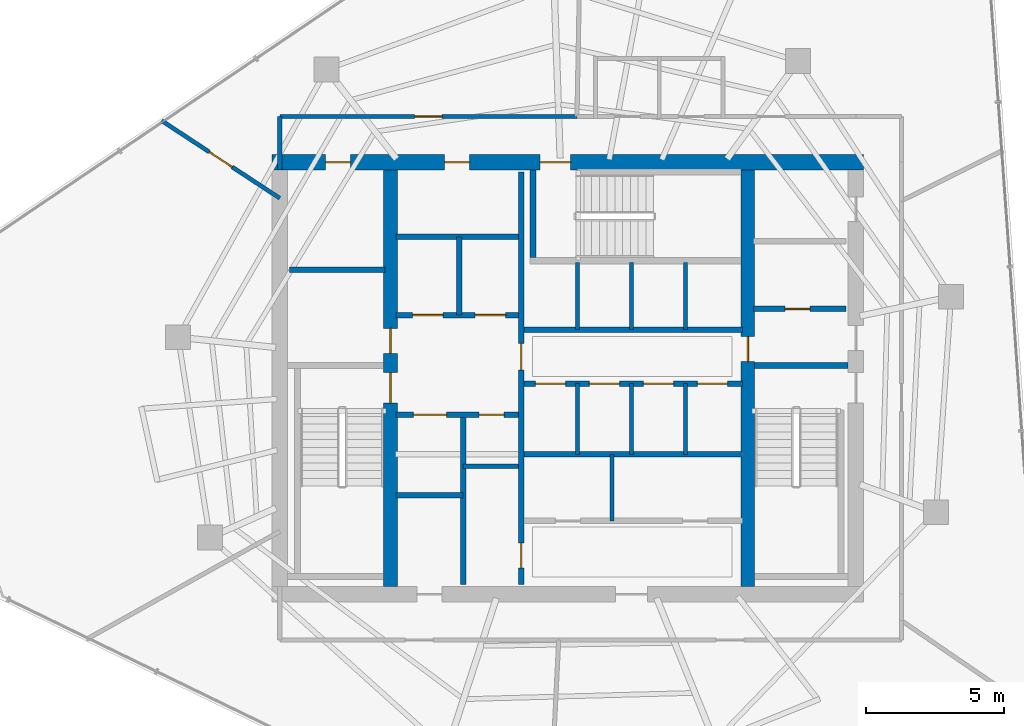
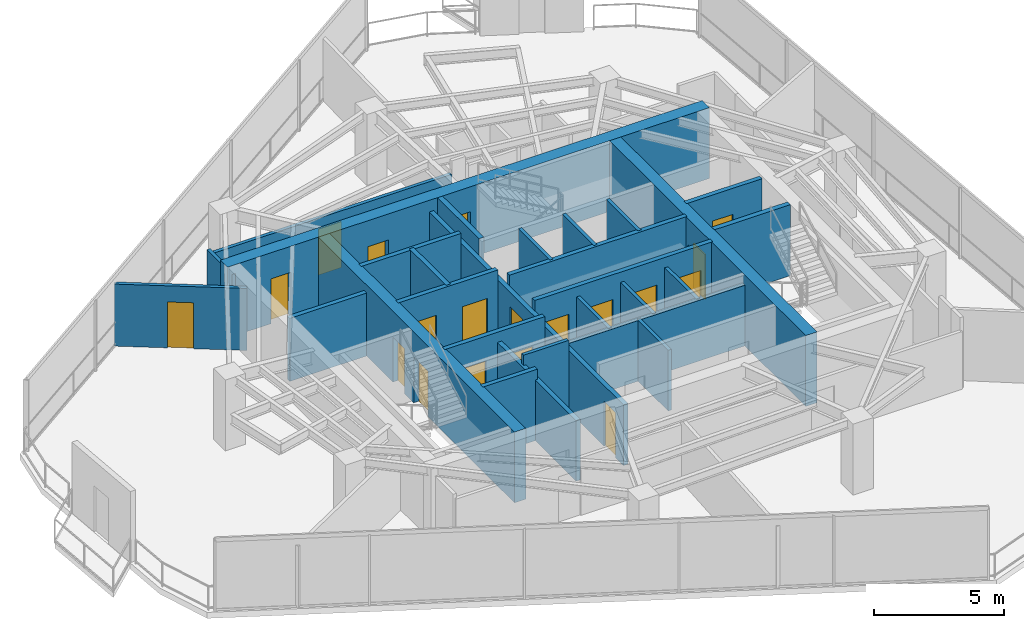
# One storey, part 17 of 20: 28 walls, 19 doors, 19 openings.
"""IFC4 building model written with IfcOpenShell, lengths in metres."""

from ifc_helpers import new_model, si_unit, direction, frame, frame_2d, origin, place, context, subcontext, project, spatial, rectangle, extrude, material, layer, layer_set, type_object, element, fill, save


model = new_model("IFC4")

# Units and contexts
model_context = context("Model", 3, precision=1e-05, world=origin(), true_north=direction((0.0, 1.0)))
body_context = subcontext(model_context, "Body", "Model", "MODEL_VIEW")
ifc_project = project(units=[si_unit("LENGTHUNIT", "METRE"), si_unit("AREAUNIT", "SQUARE_METRE"), si_unit("VOLUMEUNIT", "CUBIC_METRE"), si_unit("PLANEANGLEUNIT", "RADIAN"), si_unit("MASSUNIT", "GRAM", prefix="KILO")], contexts=[model_context])

# Site, building, storey
site_placement = place(None, origin())
site = spatial("IfcSite", under=ifc_project, at=site_placement, CompositionType="ELEMENT")
building_placement = place(site_placement, origin())
building = spatial("IfcBuilding", under=site, at=building_placement, Name="Qarnah Convention Tower", CompositionType="ELEMENT")
storey_placement = place(building_placement, frame((0.0, 0.0, 195.0)))
storey = spatial("IfcBuildingStorey", under=building, at=storey_placement, Name="L52", CompositionType="ELEMENT", Elevation=195.0)

# Wall, openings, doors
ifc_material_1 = material(Name="Concrete C60/75", Category="concrete")
ifc_layer_1 = layer(ifc_material_1, 0.550048828125)
ifc_layer_set_1 = layer_set([ifc_layer_1], Name="Concrete C60/75")
wall_type_1 = type_object("IfcWallType", Name="WL-CORE-550", PredefinedType="SHEAR", material=ifc_layer_set_1)
wall_1_placement = place(storey_placement, frame((26.52490234375, 34.199951171875, 0.0), z_axis=(0.0, 0.0, 1.0), x_axis=(1.0, 0.0, 0.0)))
wall_1 = element("IfcWall", 1, at=wall_1_placement, inside=storey, type_object=wall_type_1, Name="L52 core north shear wall", PredefinedType="SHEAR", context=body_context, shape_type="SweptSolid", body=[
    extrude(rectangle(XDim=21.35009765625, YDim=0.550048828125, at=frame_2d((10.675048828125, 0.0))), origin(), (0.0, 0.0, 1.0), 3.320068359375),
])
opening_1_placement = place(wall_1_placement, frame((9.675048828125, 0.0, 0.0)))
opening_1 = element("IfcOpeningElement", 2, at=opening_1_placement, cuts=wall_1, Name="Opening D-5203", PredefinedType="OPENING", context=body_context, shape_type="SweptSolid", body=[
    extrude(rectangle(XDim=1.10009765625, YDim=2.14990234375, at=frame_2d((0.550048828125, 1.074951171875))), frame((0.0, 0.284912109375, 0.0), z_axis=(0.0, -1.0, 0.0), x_axis=(1.0, 0.0, 0.0)), (0.0, 0.0, 1.0), 0.570068359375),
])
opening_2_placement = place(wall_1_placement, frame((1.925048828125, 0.0, 0.0)))
opening_2 = element("IfcOpeningElement", 3, at=opening_2_placement, cuts=wall_1, Name="Opening D-5209", PredefinedType="OPENING", context=body_context, shape_type="SweptSolid", body=[
    extrude(rectangle(XDim=0.89990234375, YDim=2.10009765625, at=frame_2d((0.449951171875, 1.050048828125))), frame((0.0, 0.284912109375, 0.0), z_axis=(0.0, -1.0, 0.0), x_axis=(1.0, 0.0, 0.0)), (0.0, 0.0, 1.0), 0.570068359375),
])
opening_3_placement = place(wall_1_placement, frame((6.22509765625, 0.0, 0.0)))
opening_3 = element("IfcOpeningElement", 4, at=opening_3_placement, cuts=wall_1, Name="Opening D-5210", PredefinedType="OPENING", context=body_context, shape_type="SweptSolid", body=[
    extrude(rectangle(XDim=0.89990234375, YDim=2.10009765625, at=frame_2d((0.449951171875, 1.050048828125))), frame((0.0, 0.284912109375, 0.0), z_axis=(0.0, -1.0, 0.0), x_axis=(1.0, 0.0, 0.0)), (0.0, 0.0, 1.0), 0.570068359375),
])
ifc_material_2 = material(Name="Structural steel S355JR", Category="steel")
door_type_1 = type_object("IfcDoorType", Name="DT-RISER-900", OperationType="NOTDEFINED", PredefinedType="DOOR", material=ifc_material_2)
door_1_placement = place(opening_2_placement, origin())
door_1 = element("IfcDoor", 5, at=door_1_placement, inside=storey, type_object=door_type_1, Name="Door D-5209", OperationType="SINGLE_SWING_LEFT", OverallHeight=2.10009765625, OverallWidth=0.89990234375, PredefinedType="DOOR", context=body_context, shape_type="SweptSolid", body=[
    extrude(rectangle(XDim=0.89990234375, YDim=2.10009765625, at=frame_2d((0.449951171875, 1.050048828125))), frame((0.0, 0.02490234375, 0.0), z_axis=(0.0, -1.0, 0.0), x_axis=(1.0, 0.0, 0.0)), (0.0, 0.0, 1.0), 0.050048828125),
])
fill(opening_2, door_1)
door_2_placement = place(opening_3_placement, origin())
door_2 = element("IfcDoor", 6, at=door_2_placement, inside=storey, type_object=door_type_1, Name="Door D-5210", OperationType="SINGLE_SWING_RIGHT", OverallHeight=2.10009765625, OverallWidth=0.89990234375, PredefinedType="DOOR", context=body_context, shape_type="SweptSolid", body=[
    extrude(rectangle(XDim=0.89990234375, YDim=2.10009765625, at=frame_2d((0.449951171875, 1.050048828125))), frame((0.0, 0.02490234375, 0.0), z_axis=(0.0, -1.0, 0.0), x_axis=(1.0, 0.0, 0.0)), (0.0, 0.0, 1.0), 0.050048828125),
])
fill(opening_3, door_2)
door_type_2 = type_object("IfcDoorType", Name="DT-STAIR-1100", OperationType="NOTDEFINED", PredefinedType="DOOR", material=ifc_material_2)
door_3_placement = place(opening_1_placement, origin())
door_3 = element("IfcDoor", 7, at=door_3_placement, inside=storey, type_object=door_type_2, Name="Door D-5203", OperationType="SINGLE_SWING_LEFT", OverallHeight=2.14990234375, OverallWidth=1.10009765625, PredefinedType="DOOR", context=body_context, shape_type="SweptSolid", body=[
    extrude(rectangle(XDim=1.10009765625, YDim=2.14990234375, at=frame_2d((0.550048828125, 1.074951171875))), frame((0.0, 0.02490234375, 0.0), z_axis=(0.0, -1.0, 0.0), x_axis=(1.0, 0.0, 0.0)), (0.0, 0.0, 1.0), 0.050048828125),
])
fill(opening_1, door_3)

ifc_layer_2 = layer(ifc_material_1, 0.5)
ifc_layer_set_2 = layer_set([ifc_layer_2], Name="Concrete C60/75")
wall_type_2 = type_object("IfcWallType", Name="WL-CORE-INT-400", PredefinedType="SHEAR", material=ifc_layer_set_2)
wall_2_placement = place(storey_placement, frame((30.800048828125, 18.875, 0.0), z_axis=(0.0, 0.0, 1.0), x_axis=(0.0, 1.0, 0.0)))
wall_2 = element("IfcWall", 8, at=wall_2_placement, inside=storey, type_object=wall_type_2, Name="L52 core west spine shear wall", PredefinedType="SHEAR", context=body_context, shape_type="SweptSolid", body=[
    extrude(rectangle(XDim=15.050048828125, YDim=0.5, at=frame_2d((7.52490234375, 0.0))), origin(), (0.0, 0.0, 1.0), 3.320068359375),
])
opening_4_placement = place(wall_2_placement, frame((6.625, 0.0, 0.0)))
opening_4 = element("IfcOpeningElement", 9, at=opening_4_placement, cuts=wall_2, Name="Opening D-5201", PredefinedType="OPENING", context=body_context, shape_type="SweptSolid", body=[
    extrude(rectangle(XDim=1.10009765625, YDim=2.14990234375, at=frame_2d((0.550048828125, 1.074951171875))), frame((0.0, 0.260009765625, 0.0), z_axis=(0.0, -1.0, 0.0), x_axis=(1.0, 0.0, 0.0)), (0.0, 0.0, 1.0), 0.52001953125),
])
opening_5_placement = place(wall_2_placement, frame((8.425048828125, 0.0, 0.0)))
opening_5 = element("IfcOpeningElement", 10, at=opening_5_placement, cuts=wall_2, Name="Opening D-5208", PredefinedType="OPENING", context=body_context, shape_type="SweptSolid", body=[
    extrude(rectangle(XDim=0.89990234375, YDim=2.10009765625, at=frame_2d((0.449951171875, 1.050048828125))), frame((0.0, 0.260009765625, 0.0), z_axis=(0.0, -1.0, 0.0), x_axis=(1.0, 0.0, 0.0)), (0.0, 0.0, 1.0), 0.52001953125),
])
door_4_placement = place(opening_5_placement, origin())
door_4 = element("IfcDoor", 11, at=door_4_placement, inside=storey, type_object=door_type_1, Name="Door D-5208", OperationType="SINGLE_SWING_RIGHT", OverallHeight=2.10009765625, OverallWidth=0.89990234375, PredefinedType="DOOR", context=body_context, shape_type="SweptSolid", body=[
    extrude(rectangle(XDim=0.89990234375, YDim=2.10009765625, at=frame_2d((0.449951171875, 1.050048828125))), frame((0.0, 0.02490234375, 0.0), z_axis=(0.0, -1.0, 0.0), x_axis=(1.0, 0.0, 0.0)), (0.0, 0.0, 1.0), 0.050048828125),
])
fill(opening_5, door_4)
door_5_placement = place(opening_4_placement, origin())
door_5 = element("IfcDoor", 12, at=door_5_placement, inside=storey, type_object=door_type_2, Name="Door D-5201", OperationType="SINGLE_SWING_LEFT", OverallHeight=2.14990234375, OverallWidth=1.10009765625, PredefinedType="DOOR", context=body_context, shape_type="SweptSolid", body=[
    extrude(rectangle(XDim=1.10009765625, YDim=2.14990234375, at=frame_2d((0.550048828125, 1.074951171875))), frame((0.0, 0.02490234375, 0.0), z_axis=(0.0, -1.0, 0.0), x_axis=(1.0, 0.0, 0.0)), (0.0, 0.0, 1.0), 0.050048828125),
])
fill(opening_4, door_5)

# Wall, opening, door
wall_3_placement = place(storey_placement, frame((43.699951171875, 18.875, 0.0), z_axis=(0.0, 0.0, 1.0), x_axis=(0.0, 1.0, 0.0)))
wall_3 = element("IfcWall", 13, at=wall_3_placement, inside=storey, type_object=wall_type_2, Name="L52 core east spine shear wall", PredefinedType="SHEAR", context=body_context, shape_type="SweptSolid", body=[
    extrude(rectangle(XDim=15.050048828125, YDim=0.5, at=frame_2d((7.52490234375, 0.0))), origin(), (0.0, 0.0, 1.0), 3.320068359375),
])
opening_6_placement = place(wall_3_placement, frame((8.125, 0.0, 0.0)))
opening_6 = element("IfcOpeningElement", 14, at=opening_6_placement, cuts=wall_3, Name="Opening D-5205", PredefinedType="OPENING", context=body_context, shape_type="SweptSolid", body=[
    extrude(rectangle(XDim=0.89990234375, YDim=2.10009765625, at=frame_2d((0.449951171875, 1.050048828125))), frame((0.0, 0.260009765625, 0.0), z_axis=(0.0, -1.0, 0.0), x_axis=(1.0, 0.0, 0.0)), (0.0, 0.0, 1.0), 0.52001953125),
])
door_6_placement = place(opening_6_placement, origin())
door_6 = element("IfcDoor", 15, at=door_6_placement, inside=storey, type_object=door_type_1, Name="Door D-5205", OperationType="SINGLE_SWING_LEFT", OverallHeight=2.10009765625, OverallWidth=0.89990234375, PredefinedType="DOOR", context=body_context, shape_type="SweptSolid", body=[
    extrude(rectangle(XDim=0.89990234375, YDim=2.10009765625, at=frame_2d((0.449951171875, 1.050048828125))), frame((0.0, 0.02490234375, 0.0), z_axis=(0.0, -1.0, 0.0), x_axis=(1.0, 0.0, 0.0)), (0.0, 0.0, 1.0), 0.050048828125),
])
fill(opening_6, door_6)

# Wall
ifc_material_3 = material(Name="Concrete C45/55", Category="concrete")
ifc_layer_3 = layer(ifc_material_3, 0.199951171875)
ifc_layer_set_3 = layer_set([ifc_layer_3], Name="Concrete C45/55")
wall_type_3 = type_object("IfcWallType", Name="WL-CORE-PART-200", PredefinedType="SOLIDWALL", material=ifc_layer_set_3)
wall_4_placement = place(storey_placement, frame((27.14990234375, 30.320068359375, 0.0), z_axis=(0.0, 0.0, 1.0), x_axis=(1.0, 0.0, 0.0)))
element("IfcWall", 16, at=wall_4_placement, inside=storey, type_object=wall_type_3, Name="L52 interior wall IW-L52-ELRN", PredefinedType="SOLIDWALL", context=body_context, shape_type="SweptSolid", body=[
    extrude(rectangle(XDim=3.4501953125, YDim=0.199951171875, at=frame_2d((1.72509765625, 0.0))), origin(), (0.0, 0.0, 1.0), 2.948974609375),
])

# Wall, opening, door
wall_5_placement = place(storey_placement, frame((43.89990234375, 28.89990234375, 0.0), z_axis=(0.0, 0.0, 1.0), x_axis=(1.0, 0.0, 0.0)))
wall_5 = element("IfcWall", 17, at=wall_5_placement, inside=storey, type_object=wall_type_3, Name="L52 interior wall IW-L52-EVSTN", PredefinedType="SOLIDWALL", context=body_context, shape_type="SweptSolid", body=[
    extrude(rectangle(XDim=3.35009765625, YDim=0.199951171875, at=frame_2d((1.675048828125, 0.0))), origin(), (0.0, 0.0, 1.0), 3.320068359375),
])
opening_7_placement = place(wall_5_placement, frame((1.14990234375, 0.0, 0.0)))
opening_7 = element("IfcOpeningElement", 18, at=opening_7_placement, cuts=wall_5, Name="Opening D-5211", PredefinedType="OPENING", context=body_context, shape_type="SweptSolid", body=[
    extrude(rectangle(XDim=0.89990234375, YDim=2.10009765625, at=frame_2d((0.449951171875, 1.050048828125))), frame((0.0, 0.10986328125, 0.0), z_axis=(0.0, -1.0, 0.0), x_axis=(1.0, 0.0, 0.0)), (0.0, 0.0, 1.0), 0.219970703125),
])
door_7_placement = place(opening_7_placement, origin())
door_7 = element("IfcDoor", 19, at=door_7_placement, inside=storey, type_object=door_type_1, Name="Door D-5211", OperationType="SINGLE_SWING_LEFT", OverallHeight=2.10009765625, OverallWidth=0.89990234375, PredefinedType="DOOR", context=body_context, shape_type="SweptSolid", body=[
    extrude(rectangle(XDim=0.89990234375, YDim=2.10009765625, at=frame_2d((0.449951171875, 1.050048828125))), frame((0.0, 0.02490234375, 0.0), z_axis=(0.0, -1.0, 0.0), x_axis=(1.0, 0.0, 0.0)), (0.0, 0.0, 1.0), 0.050048828125),
])
fill(opening_7, door_7)

# Wall, openings, doors
wall_6_placement = place(storey_placement, frame((35.52001953125, 18.949951171875, 0.0), z_axis=(0.0, 0.0, 1.0), x_axis=(0.0, 1.0, 0.0)))
wall_6 = element("IfcWall", 20, at=wall_6_placement, inside=storey, type_object=wall_type_3, Name="L52 interior wall IW-L52-CSP", PredefinedType="SOLIDWALL", context=body_context, shape_type="SweptSolid", body=[
    extrude(rectangle(XDim=14.900146484375, YDim=0.199951171875, at=frame_2d((7.4501953125, 0.0))), origin(), (0.0, 0.0, 1.0), 2.841064453125),
])
opening_8_placement = place(wall_6_placement, frame((7.7548828125, 0.0, 0.0)))
opening_8 = element("IfcOpeningElement", 21, at=opening_8_placement, cuts=wall_6, Name="Opening D-5204", PredefinedType="OPENING", context=body_context, shape_type="SweptSolid", body=[
    extrude(rectangle(XDim=0.949951171875, YDim=2.14990234375, at=frame_2d((0.47509765625, 1.074951171875))), frame((0.0, 0.10986328125, 0.0), z_axis=(0.0, -1.0, 0.0), x_axis=(1.0, 0.0, 0.0)), (0.0, 0.0, 1.0), 0.219970703125),
])
opening_9_placement = place(wall_6_placement, frame((0.60009765625, 0.0, 0.0)))
opening_9 = element("IfcOpeningElement", 22, at=opening_9_placement, cuts=wall_6, Name="Opening D-5214", PredefinedType="OPENING", context=body_context, shape_type="SweptSolid", body=[
    extrude(rectangle(XDim=0.89990234375, YDim=2.10009765625, at=frame_2d((0.449951171875, 1.050048828125))), frame((0.0, 0.10986328125, 0.0), z_axis=(0.0, -1.0, 0.0), x_axis=(1.0, 0.0, 0.0)), (0.0, 0.0, 1.0), 0.219970703125),
])
ifc_material_4 = material(Name="Oak timber veneer", Category="wood")
door_type_3 = type_object("IfcDoorType", Name="DT-HOTEL-950", OperationType="NOTDEFINED", PredefinedType="DOOR", material=ifc_material_4)
door_8_placement = place(opening_8_placement, origin())
door_8 = element("IfcDoor", 23, at=door_8_placement, inside=storey, type_object=door_type_3, Name="Door D-5204", OperationType="SINGLE_SWING_RIGHT", OverallHeight=2.14990234375, OverallWidth=0.949951171875, PredefinedType="DOOR", context=body_context, shape_type="SweptSolid", body=[
    extrude(rectangle(XDim=0.949951171875, YDim=2.14990234375, at=frame_2d((0.47509765625, 1.074951171875))), frame((0.0, 0.02490234375, 0.0), z_axis=(0.0, -1.0, 0.0), x_axis=(1.0, 0.0, 0.0)), (0.0, 0.0, 1.0), 0.050048828125),
])
fill(opening_8, door_8)
door_9_placement = place(opening_9_placement, origin())
door_9 = element("IfcDoor", 24, at=door_9_placement, inside=storey, type_object=door_type_1, Name="Door D-5214", OperationType="SINGLE_SWING_RIGHT", OverallHeight=2.10009765625, OverallWidth=0.89990234375, PredefinedType="DOOR", context=body_context, shape_type="SweptSolid", body=[
    extrude(rectangle(XDim=0.89990234375, YDim=2.10009765625, at=frame_2d((0.449951171875, 1.050048828125))), frame((0.0, 0.02490234375, 0.0), z_axis=(0.0, -1.0, 0.0), x_axis=(1.0, 0.0, 0.0)), (0.0, 0.0, 1.0), 0.050048828125),
])
fill(opening_9, door_9)

wall_7_placement = place(storey_placement, frame((31.0, 28.679931640625, 0.0), z_axis=(0.0, 0.0, 1.0), x_axis=(1.0, 0.0, 0.0)))
wall_7 = element("IfcWall", 25, at=wall_7_placement, inside=storey, type_object=wall_type_3, Name="L52 interior wall IW-L52-FFLS", PredefinedType="SOLIDWALL", context=body_context, shape_type="SweptSolid", body=[
    extrude(rectangle(XDim=4.419921875, YDim=0.199951171875, at=frame_2d((2.2099609375, 0.0))), origin(), (0.0, 0.0, 1.0), 3.320068359375),
])
opening_10_placement = place(wall_7_placement, frame((0.60009765625, 0.0, 0.0)))
opening_10 = element("IfcOpeningElement", 26, at=opening_10_placement, cuts=wall_7, Name="Opening LD-5201", PredefinedType="OPENING", context=body_context, shape_type="SweptSolid", body=[
    extrude(rectangle(XDim=1.10009765625, YDim=2.14990234375, at=frame_2d((0.550048828125, 1.074951171875))), frame((0.0, 0.10986328125, 0.0), z_axis=(0.0, -1.0, 0.0), x_axis=(1.0, 0.0, 0.0)), (0.0, 0.0, 1.0), 0.219970703125),
])
opening_11_placement = place(wall_7_placement, frame((2.85009765625, 0.0, 0.0)))
opening_11 = element("IfcOpeningElement", 27, at=opening_11_placement, cuts=wall_7, Name="Opening LD-5202", PredefinedType="OPENING", context=body_context, shape_type="SweptSolid", body=[
    extrude(rectangle(XDim=1.10009765625, YDim=2.14990234375, at=frame_2d((0.550048828125, 1.074951171875))), frame((0.0, 0.10986328125, 0.0), z_axis=(0.0, -1.0, 0.0), x_axis=(1.0, 0.0, 0.0)), (0.0, 0.0, 1.0), 0.219970703125),
])
door_type_4 = type_object("IfcDoorType", Name="DT-LIFT-1100", OperationType="SLIDING_TO_LEFT", PredefinedType="DOOR", material=ifc_material_2)
door_10_placement = place(opening_10_placement, origin())
door_10 = element("IfcDoor", 28, at=door_10_placement, inside=storey, type_object=door_type_4, Name="Door LD-5201", OperationType="SLIDING_TO_LEFT", OverallHeight=2.14990234375, OverallWidth=1.10009765625, PredefinedType="DOOR", context=body_context, shape_type="SweptSolid", body=[
    extrude(rectangle(XDim=1.10009765625, YDim=2.14990234375, at=frame_2d((0.550048828125, 1.074951171875))), frame((0.0, 0.02490234375, 0.0), z_axis=(0.0, -1.0, 0.0), x_axis=(1.0, 0.0, 0.0)), (0.0, 0.0, 1.0), 0.050048828125),
])
fill(opening_10, door_10)
door_11_placement = place(opening_11_placement, origin())
door_11 = element("IfcDoor", 29, at=door_11_placement, inside=storey, type_object=door_type_4, Name="Door LD-5202", OperationType="SLIDING_TO_LEFT", OverallHeight=2.14990234375, OverallWidth=1.10009765625, PredefinedType="DOOR", context=body_context, shape_type="SweptSolid", body=[
    extrude(rectangle(XDim=1.10009765625, YDim=2.14990234375, at=frame_2d((0.550048828125, 1.074951171875))), frame((0.0, 0.02490234375, 0.0), z_axis=(0.0, -1.0, 0.0), x_axis=(1.0, 0.0, 0.0)), (0.0, 0.0, 1.0), 0.050048828125),
])
fill(opening_11, door_11)

# Walls
wall_8_placement = place(storey_placement, frame((31.0, 31.5, 0.0), z_axis=(0.0, 0.0, 1.0), x_axis=(1.0, 0.0, 0.0)))
element("IfcWall", 30, at=wall_8_placement, inside=storey, type_object=wall_type_3, Name="L52 interior wall IW-L52-FFLN", PredefinedType="SOLIDWALL", context=body_context, shape_type="SweptSolid", body=[
    extrude(rectangle(XDim=4.419921875, YDim=0.199951171875, at=frame_2d((2.2099609375, 0.0))), origin(), (0.0, 0.0, 1.0), 3.320068359375),
])
wall_9_placement = place(storey_placement, frame((33.280029296875, 28.679931640625, 0.0), z_axis=(0.0, 0.0, 1.0), x_axis=(0.0, 1.0, 0.0)))
element("IfcWall", 31, at=wall_9_placement, inside=storey, type_object=wall_type_3, Name="L52 interior wall IW-L52-FFLM", PredefinedType="SOLIDWALL", context=body_context, shape_type="SweptSolid", body=[
    extrude(rectangle(XDim=2.820068359375, YDim=0.199951171875, at=frame_2d((1.41015625, 0.0))), origin(), (0.0, 0.0, 1.0), 3.320068359375),
])

# Wall, openings, doors
wall_10_placement = place(storey_placement, frame((31.0, 25.080078125, 0.0), z_axis=(0.0, 0.0, 1.0), x_axis=(1.0, 0.0, 0.0)))
wall_10 = element("IfcWall", 32, at=wall_10_placement, inside=storey, type_object=wall_type_3, Name="L52 interior wall IW-L52-FFLBS", PredefinedType="SOLIDWALL", context=body_context, shape_type="SweptSolid", body=[
    extrude(rectangle(XDim=4.419921875, YDim=0.199951171875, at=frame_2d((2.2099609375, 0.0))), origin(), (0.0, 0.0, 1.0), 3.320068359375),
])
opening_12_placement = place(wall_10_placement, frame((3.0, 0.0, 0.0)))
opening_12 = element("IfcOpeningElement", 33, at=opening_12_placement, cuts=wall_10, Name="Opening D-5215", PredefinedType="OPENING", context=body_context, shape_type="SweptSolid", body=[
    extrude(rectangle(XDim=0.89990234375, YDim=2.10009765625, at=frame_2d((0.449951171875, 1.050048828125))), frame((0.0, 0.10986328125, 0.0), z_axis=(0.0, -1.0, 0.0), x_axis=(1.0, 0.0, 0.0)), (0.0, 0.0, 1.0), 0.219970703125),
])
opening_13_placement = place(wall_10_placement, frame((0.6201171875, 0.0, 0.0)))
opening_13 = element("IfcOpeningElement", 34, at=opening_13_placement, cuts=wall_10, Name="Opening LD-5203", PredefinedType="OPENING", context=body_context, shape_type="SweptSolid", body=[
    extrude(rectangle(XDim=1.199951171875, YDim=2.14990234375, at=frame_2d((0.60009765625, 1.074951171875))), frame((0.0, 0.10986328125, 0.0), z_axis=(0.0, -1.0, 0.0), x_axis=(1.0, 0.0, 0.0)), (0.0, 0.0, 1.0), 0.219970703125),
])
door_type_5 = type_object("IfcDoorType", Name="DT-LIFT-1200", OperationType="SLIDING_TO_LEFT", PredefinedType="DOOR", material=ifc_material_2)
door_12_placement = place(opening_13_placement, origin())
door_12 = element("IfcDoor", 35, at=door_12_placement, inside=storey, type_object=door_type_5, Name="Door LD-5203", OperationType="SLIDING_TO_LEFT", OverallHeight=2.14990234375, OverallWidth=1.199951171875, PredefinedType="DOOR", context=body_context, shape_type="SweptSolid", body=[
    extrude(rectangle(XDim=1.199951171875, YDim=2.14990234375, at=frame_2d((0.60009765625, 1.074951171875))), frame((0.0, 0.02490234375, 0.0), z_axis=(0.0, -1.0, 0.0), x_axis=(1.0, 0.0, 0.0)), (0.0, 0.0, 1.0), 0.050048828125),
])
fill(opening_13, door_12)
door_13_placement = place(opening_12_placement, origin())
door_13 = element("IfcDoor", 36, at=door_13_placement, inside=storey, type_object=door_type_1, Name="Door D-5215", OperationType="SINGLE_SWING_LEFT", OverallHeight=2.10009765625, OverallWidth=0.89990234375, PredefinedType="DOOR", context=body_context, shape_type="SweptSolid", body=[
    extrude(rectangle(XDim=0.89990234375, YDim=2.10009765625, at=frame_2d((0.449951171875, 1.050048828125))), frame((0.0, 0.02490234375, 0.0), z_axis=(0.0, -1.0, 0.0), x_axis=(1.0, 0.0, 0.0)), (0.0, 0.0, 1.0), 0.050048828125),
])
fill(opening_12, door_13)

# Walls
wall_11_placement = place(storey_placement, frame((33.419921875, 18.949951171875, 0.0), z_axis=(0.0, 0.0, 1.0), x_axis=(0.0, 1.0, 0.0)))
element("IfcWall", 37, at=wall_11_placement, inside=storey, type_object=wall_type_3, Name="L52 interior wall IW-L52-SVLE", PredefinedType="SOLIDWALL", context=body_context, shape_type="SweptSolid", body=[
    extrude(rectangle(XDim=6.130126953125, YDim=0.199951171875, at=frame_2d((3.06494140625, 0.0))), origin(), (0.0, 0.0, 1.0), 2.841064453125),
])
wall_12_placement = place(storey_placement, frame((31.0, 22.179931640625, 0.0), z_axis=(0.0, 0.0, 1.0), x_axis=(1.0, 0.0, 0.0)))
element("IfcWall", 38, at=wall_12_placement, inside=storey, type_object=wall_type_3, Name="L52 interior wall IW-L52-SVLS", PredefinedType="SOLIDWALL", context=body_context, shape_type="SweptSolid", body=[
    extrude(rectangle(XDim=2.419921875, YDim=0.199951171875, at=frame_2d((1.2099609375, 0.0))), origin(), (0.0, 0.0, 1.0), 3.320068359375),
])
wall_13_placement = place(storey_placement, frame((35.6201171875, 28.14990234375, 0.0), z_axis=(0.0, 0.0, 1.0), x_axis=(1.0, 0.0, 0.0)))
element("IfcWall", 39, at=wall_13_placement, inside=storey, type_object=wall_type_3, Name="L52 interior wall IW-L52-PHS", PredefinedType="SOLIDWALL", context=body_context, shape_type="SweptSolid", body=[
    extrude(rectangle(XDim=7.8798828125, YDim=0.199951171875, at=frame_2d((3.93994140625, 0.0))), origin(), (0.0, 0.0, 1.0), 3.320068359375),
])

# Wall, openings, doors
wall_14_placement = place(storey_placement, frame((35.6201171875, 26.199951171875, 0.0), z_axis=(0.0, 0.0, 1.0), x_axis=(1.0, 0.0, 0.0)))
wall_14 = element("IfcWall", 40, at=wall_14_placement, inside=storey, type_object=wall_type_3, Name="L52 interior wall IW-L52-PMN", PredefinedType="SOLIDWALL", context=body_context, shape_type="SweptSolid", body=[
    extrude(rectangle(XDim=7.8798828125, YDim=0.199951171875, at=frame_2d((3.93994140625, 0.0))), origin(), (0.0, 0.0, 1.0), 3.320068359375),
])
opening_14_placement = place(wall_14_placement, frame((0.405029296875, 0.0, 0.0)))
opening_14 = element("IfcOpeningElement", 41, at=opening_14_placement, cuts=wall_14, Name="Opening LD-5204", PredefinedType="OPENING", context=body_context, shape_type="SweptSolid", body=[
    extrude(rectangle(XDim=1.10009765625, YDim=2.14990234375, at=frame_2d((0.550048828125, 1.074951171875))), frame((0.0, 0.10986328125, 0.0), z_axis=(0.0, -1.0, 0.0), x_axis=(1.0, 0.0, 0.0)), (0.0, 0.0, 1.0), 0.219970703125),
])
opening_15_placement = place(wall_14_placement, frame((2.35498046875, 0.0, 0.0)))
opening_15 = element("IfcOpeningElement", 42, at=opening_15_placement, cuts=wall_14, Name="Opening LD-5205", PredefinedType="OPENING", context=body_context, shape_type="SweptSolid", body=[
    extrude(rectangle(XDim=1.10009765625, YDim=2.14990234375, at=frame_2d((0.550048828125, 1.074951171875))), frame((0.0, 0.10986328125, 0.0), z_axis=(0.0, -1.0, 0.0), x_axis=(1.0, 0.0, 0.0)), (0.0, 0.0, 1.0), 0.219970703125),
])
opening_16_placement = place(wall_14_placement, frame((4.304931640625, 0.0, 0.0)))
opening_16 = element("IfcOpeningElement", 43, at=opening_16_placement, cuts=wall_14, Name="Opening LD-5206", PredefinedType="OPENING", context=body_context, shape_type="SweptSolid", body=[
    extrude(rectangle(XDim=1.10009765625, YDim=2.14990234375, at=frame_2d((0.550048828125, 1.074951171875))), frame((0.0, 0.10986328125, 0.0), z_axis=(0.0, -1.0, 0.0), x_axis=(1.0, 0.0, 0.0)), (0.0, 0.0, 1.0), 0.219970703125),
])
opening_17_placement = place(wall_14_placement, frame((6.2548828125, 0.0, 0.0)))
opening_17 = element("IfcOpeningElement", 44, at=opening_17_placement, cuts=wall_14, Name="Opening LD-5207", PredefinedType="OPENING", context=body_context, shape_type="SweptSolid", body=[
    extrude(rectangle(XDim=1.10009765625, YDim=2.14990234375, at=frame_2d((0.550048828125, 1.074951171875))), frame((0.0, 0.10986328125, 0.0), z_axis=(0.0, -1.0, 0.0), x_axis=(1.0, 0.0, 0.0)), (0.0, 0.0, 1.0), 0.219970703125),
])
door_14_placement = place(opening_14_placement, origin())
door_14 = element("IfcDoor", 45, at=door_14_placement, inside=storey, type_object=door_type_4, Name="Door LD-5204", OperationType="SLIDING_TO_LEFT", OverallHeight=2.14990234375, OverallWidth=1.10009765625, PredefinedType="DOOR", context=body_context, shape_type="SweptSolid", body=[
    extrude(rectangle(XDim=1.10009765625, YDim=2.14990234375, at=frame_2d((0.550048828125, 1.074951171875))), frame((0.0, 0.02490234375, 0.0), z_axis=(0.0, -1.0, 0.0), x_axis=(1.0, 0.0, 0.0)), (0.0, 0.0, 1.0), 0.050048828125),
])
fill(opening_14, door_14)
door_15_placement = place(opening_15_placement, origin())
door_15 = element("IfcDoor", 46, at=door_15_placement, inside=storey, type_object=door_type_4, Name="Door LD-5205", OperationType="SLIDING_TO_LEFT", OverallHeight=2.14990234375, OverallWidth=1.10009765625, PredefinedType="DOOR", context=body_context, shape_type="SweptSolid", body=[
    extrude(rectangle(XDim=1.10009765625, YDim=2.14990234375, at=frame_2d((0.550048828125, 1.074951171875))), frame((0.0, 0.02490234375, 0.0), z_axis=(0.0, -1.0, 0.0), x_axis=(1.0, 0.0, 0.0)), (0.0, 0.0, 1.0), 0.050048828125),
])
fill(opening_15, door_15)
door_16_placement = place(opening_16_placement, origin())
door_16 = element("IfcDoor", 47, at=door_16_placement, inside=storey, type_object=door_type_4, Name="Door LD-5206", OperationType="SLIDING_TO_LEFT", OverallHeight=2.14990234375, OverallWidth=1.10009765625, PredefinedType="DOOR", context=body_context, shape_type="SweptSolid", body=[
    extrude(rectangle(XDim=1.10009765625, YDim=2.14990234375, at=frame_2d((0.550048828125, 1.074951171875))), frame((0.0, 0.02490234375, 0.0), z_axis=(0.0, -1.0, 0.0), x_axis=(1.0, 0.0, 0.0)), (0.0, 0.0, 1.0), 0.050048828125),
])
fill(opening_16, door_16)
door_17_placement = place(opening_17_placement, origin())
door_17 = element("IfcDoor", 48, at=door_17_placement, inside=storey, type_object=door_type_4, Name="Door LD-5207", OperationType="SLIDING_TO_LEFT", OverallHeight=2.14990234375, OverallWidth=1.10009765625, PredefinedType="DOOR", context=body_context, shape_type="SweptSolid", body=[
    extrude(rectangle(XDim=1.10009765625, YDim=2.14990234375, at=frame_2d((0.550048828125, 1.074951171875))), frame((0.0, 0.02490234375, 0.0), z_axis=(0.0, -1.0, 0.0), x_axis=(1.0, 0.0, 0.0)), (0.0, 0.0, 1.0), 0.050048828125),
])
fill(opening_17, door_17)

# Walls
wall_15_placement = place(storey_placement, frame((35.6201171875, 23.64990234375, 0.0), z_axis=(0.0, 0.0, 1.0), x_axis=(1.0, 0.0, 0.0)))
element("IfcWall", 49, at=wall_15_placement, inside=storey, type_object=wall_type_3, Name="L52 interior wall IW-L52-PMPL", PredefinedType="SOLIDWALL", context=body_context, shape_type="SweptSolid", body=[
    extrude(rectangle(XDim=7.8798828125, YDim=0.199951171875, at=frame_2d((3.93994140625, 0.0))), origin(), (0.0, 0.0, 1.0), 2.841064453125),
])
ifc_layer_4 = layer(ifc_material_1, 0.219970703125)
ifc_layer_set_4 = layer_set([ifc_layer_4], Name="Concrete C60/75")
wall_type_4 = type_object("IfcWallType", Name="WL-CORE-STAIR-220", PredefinedType="SHEAR", material=ifc_layer_set_4)
wall_16_placement = place(storey_placement, frame((43.949951171875, 26.860107421875, 0.0), z_axis=(0.0, 0.0, 1.0), x_axis=(1.0, 0.0, 0.0)))
element("IfcWall", 50, at=wall_16_placement, inside=storey, type_object=wall_type_4, Name="L52 stair shaft shear wall SW-L52-ST2N", PredefinedType="SHEAR", context=body_context, shape_type="SweptSolid", body=[
    extrude(rectangle(XDim=3.375, YDim=0.219970703125, at=frame_2d((1.6875, 0.0))), origin(), (0.0, 0.0, 1.0), 3.320068359375),
])
wall_17_placement = place(storey_placement, frame((35.93994140625, 30.75, 0.0), z_axis=(0.0, 0.0, 1.0), x_axis=(0.0, 1.0, 0.0)))
element("IfcWall", 51, at=wall_17_placement, inside=storey, type_object=wall_type_4, Name="L52 stair shaft shear wall SW-L52-ST3W", PredefinedType="SHEAR", context=body_context, shape_type="SweptSolid", body=[
    extrude(rectangle(XDim=3.175048828125, YDim=0.219970703125, at=frame_2d((1.58740234375, 0.0))), origin(), (0.0, 0.0, 1.0), 3.320068359375),
])
ifc_material_5 = material(Name="Gypsum partition board")
ifc_layer_5 = layer(ifc_material_5, 0.14990234375)
ifc_layer_set_5 = layer_set([ifc_layer_5], Name="Gypsum partition board")
wall_type_5 = type_object("IfcWallType", Name="WL-SUITE-150", PredefinedType="PARTITIONING", material=ifc_layer_set_5)
wall_18_placement = place(storey_placement, frame((33.419921875, 23.219970703125, 0.0), z_axis=(0.0, 0.0, 1.0), x_axis=(1.0, 0.0, 0.0)))
element("IfcWall", 52, at=wall_18_placement, inside=storey, type_object=wall_type_5, Name="L52 interior wall IW-L52-CSV1", PredefinedType="PARTITIONING", context=body_context, shape_type="SweptSolid", body=[
    extrude(rectangle(XDim=2.0, YDim=0.14990234375, at=frame_2d((1.0, 0.0))), origin(), (0.0, 0.0, 1.0), 3.320068359375),
])
for number, where, z_axis, x_axis, name in (
    (53, (37.550048828125, 28.14990234375, 0.0), (0.0, 0.0, 1.0), (0.0, 1.0, 0.0), "L52 interior wall IW-L52-PHD1"),
    (54, (39.5, 28.14990234375, 0.0), (0.0, 0.0, 1.0), (0.0, 1.0, 0.0), "L52 interior wall IW-L52-PHD2"),
    (55, (41.449951171875, 28.14990234375, 0.0), (0.0, 0.0, 1.0), (0.0, 1.0, 0.0), "L52 interior wall IW-L52-PHD3"),
):
    element("IfcWall", number, at=place(storey_placement, frame(where, z_axis=z_axis, x_axis=x_axis)), inside=storey, type_object=wall_type_5, Name=name, PredefinedType="PARTITIONING", context=body_context, shape_type="SweptSolid", body=[
        extrude(rectangle(XDim=2.43017578125, YDim=0.14990234375, at=frame_2d((1.215087890625, 0.0))), origin(), (0.0, 0.0, 1.0), 3.320068359375),
    ])
for number, where, z_axis, x_axis, name in (
    (56, (37.550048828125, 23.64990234375, 0.0), (0.0, 0.0, 1.0), (0.0, 1.0, 0.0), "L52 interior wall IW-L52-PMD1"),
    (57, (39.5, 23.64990234375, 0.0), (0.0, 0.0, 1.0), (0.0, 1.0, 0.0), "L52 interior wall IW-L52-PMD2"),
    (58, (41.449951171875, 23.64990234375, 0.0), (0.0, 0.0, 1.0), (0.0, 1.0, 0.0), "L52 interior wall IW-L52-PMD3"),
):
    element("IfcWall", number, at=place(storey_placement, frame(where, z_axis=z_axis, x_axis=x_axis)), inside=storey, type_object=wall_type_5, Name=name, PredefinedType="PARTITIONING", context=body_context, shape_type="SweptSolid", body=[
        extrude(rectangle(XDim=2.550048828125, YDim=0.14990234375, at=frame_2d((1.27490234375, 0.0))), origin(), (0.0, 0.0, 1.0), 2.841064453125),
    ])
wall_19_placement = place(storey_placement, frame((38.800048828125, 21.25, 0.0), z_axis=(0.0, 0.0, 1.0), x_axis=(0.0, 1.0, 0.0)))
element("IfcWall", 59, at=wall_19_placement, inside=storey, type_object=wall_type_5, Name="L52 interior wall IW-L52-PLFD", PredefinedType="PARTITIONING", context=body_context, shape_type="SweptSolid", body=[
    extrude(rectangle(XDim=2.39990234375, YDim=0.14990234375, at=frame_2d((1.199951171875, 0.0))), origin(), (0.0, 0.0, 1.0), 2.841064453125),
])

# Wall, opening, door
wall_20_placement = place(storey_placement, frame((22.534912109375, 35.697021484375, 0.0), z_axis=(0.0, 0.0, 1.0), x_axis=(0.836128856793, -0.548533075427, 0.0)))
wall_20 = element("IfcWall", 60, at=wall_20_placement, inside=storey, type_object=wall_type_5, Name="L52 interior wall IW-L52-R-15", PredefinedType="PARTITIONING", context=body_context, shape_type="SweptSolid", body=[
    extrude(rectangle(XDim=5.10107421875, YDim=0.14990234375, at=frame_2d((2.550537109375, 0.0))), origin(), (0.0, 0.0, 1.0), 2.905029296875),
])
opening_18_placement = place(wall_20_placement, frame((2.050048828125, 0.0, 0.0)))
opening_18 = element("IfcOpeningElement", 61, at=opening_18_placement, cuts=wall_20, Name="Opening D-5222", PredefinedType="OPENING", context=body_context, shape_type="SweptSolid", body=[
    extrude(rectangle(XDim=1.0, YDim=2.14990234375, at=frame_2d((0.5, 1.074951171875))), frame((0.0, 0.0849609375, 0.0), z_axis=(0.0, -1.0, 0.0), x_axis=(1.0, 0.0, 0.0)), (0.0, 0.0, 1.0), 0.169921875),
])
door_type_6 = type_object("IfcDoorType", Name="DT-OFFICE-1000", OperationType="NOTDEFINED", PredefinedType="DOOR", material=ifc_material_4)
door_18_placement = place(opening_18_placement, origin())
door_18 = element("IfcDoor", 62, at=door_18_placement, inside=storey, type_object=door_type_6, Name="Door D-5222", OperationType="SINGLE_SWING_RIGHT", OverallHeight=2.14990234375, OverallWidth=1.0, PredefinedType="DOOR", context=body_context, shape_type="SweptSolid", body=[
    extrude(rectangle(XDim=1.0, YDim=2.14990234375, at=frame_2d((0.5, 1.074951171875))), frame((0.0, 0.02490234375, 0.0), z_axis=(0.0, -1.0, 0.0), x_axis=(1.0, 0.0, 0.0)), (0.0, 0.0, 1.0), 0.050048828125),
])
fill(opening_18, door_18)

# Wall
wall_21_placement = place(storey_placement, frame((26.800048828125, 33.925048828125, 0.0), z_axis=(0.0, 0.0, 1.0), x_axis=(0.0, 1.0, 0.0)))
element("IfcWall", 63, at=wall_21_placement, inside=storey, type_object=wall_type_5, Name="L52 interior wall IW-L52-R-16", PredefinedType="PARTITIONING", context=body_context, shape_type="SweptSolid", body=[
    extrude(rectangle(XDim=1.925048828125, YDim=0.14990234375, at=frame_2d((0.96240234375, 0.0))), origin(), (0.0, 0.0, 1.0), 2.905029296875),
])

# Wall, opening, door
wall_22_placement = place(storey_placement, frame((26.800048828125, 35.85009765625, 0.0), z_axis=(0.0, 0.0, 1.0), x_axis=(1.0, 0.0, 0.0)))
wall_22 = element("IfcWall", 64, at=wall_22_placement, inside=storey, type_object=wall_type_5, Name="L52 interior wall IW-L52-R-17", PredefinedType="PARTITIONING", context=body_context, shape_type="SweptSolid", body=[
    extrude(rectangle(XDim=10.72998046875, YDim=0.14990234375, at=frame_2d((5.364990234375, 0.0))), origin(), (0.0, 0.0, 1.0), 2.697021484375),
])
opening_19_placement = place(wall_22_placement, frame((4.864990234375, 0.0, 0.0)))
opening_19 = element("IfcOpeningElement", 65, at=opening_19_placement, cuts=wall_22, Name="Opening D-5221", PredefinedType="OPENING", context=body_context, shape_type="SweptSolid", body=[
    extrude(rectangle(XDim=1.0, YDim=2.14990234375, at=frame_2d((0.5, 1.074951171875))), frame((0.0, 0.0849609375, 0.0), z_axis=(0.0, -1.0, 0.0), x_axis=(1.0, 0.0, 0.0)), (0.0, 0.0, 1.0), 0.169921875),
])
door_19_placement = place(opening_19_placement, origin())
door_19 = element("IfcDoor", 66, at=door_19_placement, inside=storey, type_object=door_type_6, Name="Door D-5221", OperationType="SINGLE_SWING_LEFT", OverallHeight=2.14990234375, OverallWidth=1.0, PredefinedType="DOOR", context=body_context, shape_type="SweptSolid", body=[
    extrude(rectangle(XDim=1.0, YDim=2.14990234375, at=frame_2d((0.5, 1.074951171875))), frame((0.0, 0.02490234375, 0.0), z_axis=(0.0, -1.0, 0.0), x_axis=(1.0, 0.0, 0.0)), (0.0, 0.0, 1.0), 0.050048828125),
])
fill(opening_19, door_19)

save(model, "model.ifc")
